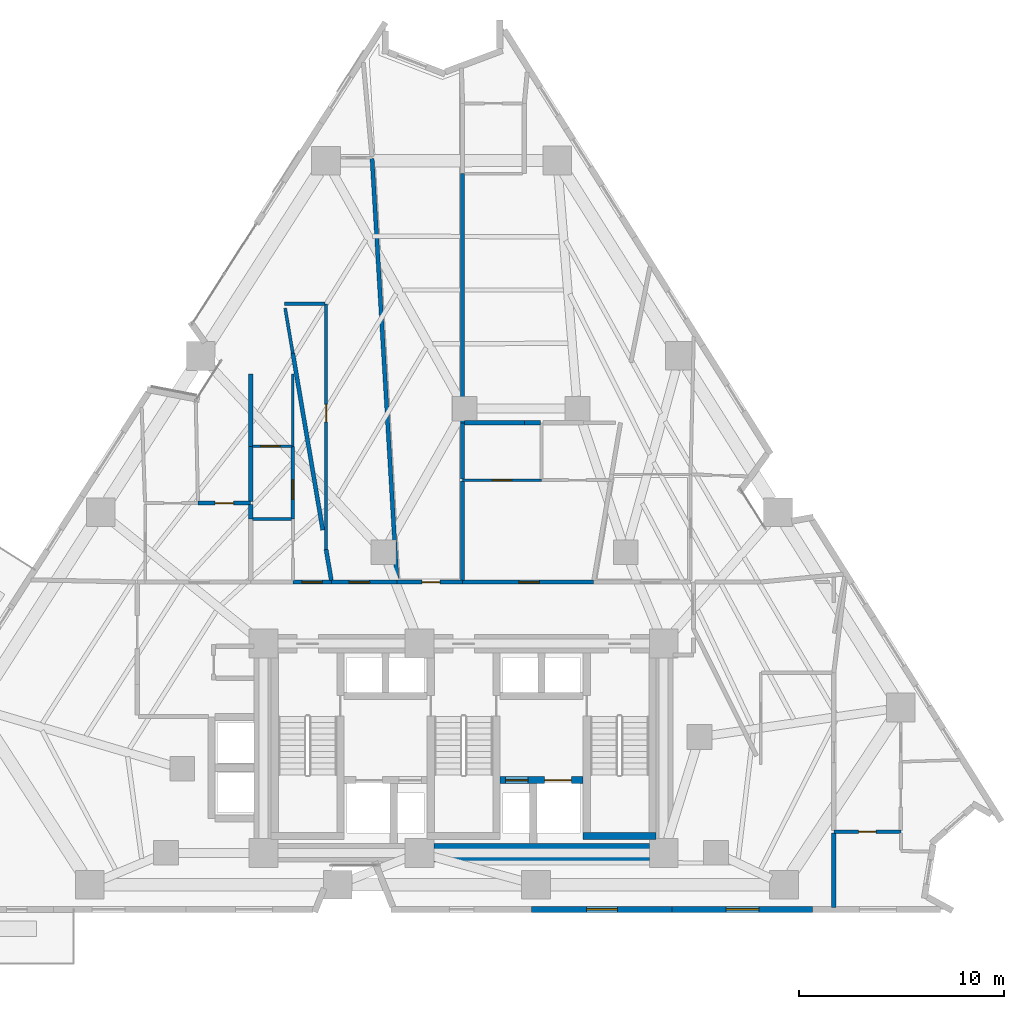
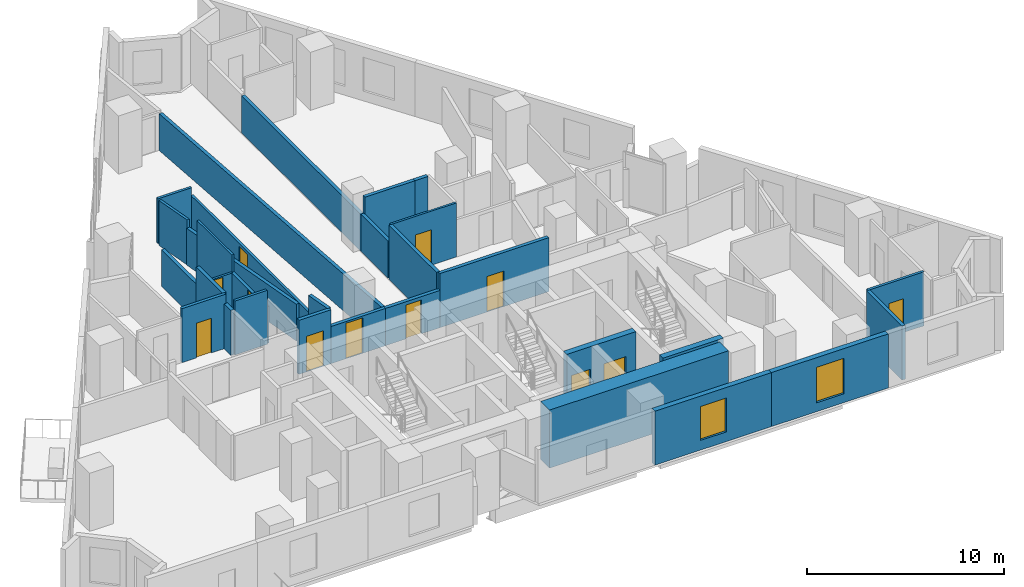
# One storey, part 7 of 14: 31 walls, 12 doors, 2 windows, 14 openings.
"""IFC4 building model written with IfcOpenShell, lengths in metres."""

import ifcopenshell
import ifcopenshell.guid

model = None  # the IFC model being written
_history = None  # IfcOwnerHistory: only IFC2X3 demands one
_inside = {}  # id of a spatial element -> (the spatial element, [elements in it])
_under = {}  # id of a project, library or spatial element -> (it, [spatial elements below it])
_declared = {}  # id of a project -> (the project, [libraries it declares])
_typed = {}  # id of a type object -> (the type object, [elements of that type])
_made_of = {}  # id of a material, layer set ... -> (it, [elements and type objects made of it])


def new_model(schema):
    """Start an empty IFC model of exactly this schema.

    Asked for "IFC4X3", IfcOpenShell would pick the latest addendum, in which some entities
    have other attributes; the version numbers below select the first issue.
    IFC2X3 requires an IfcOwnerHistory on every rooted entity: one is made here for all.
    """
    global model, _history
    if schema == "IFC4X3":
        model = ifcopenshell.file(schema_version=(4, 3, 0, 0))
    else:
        model = ifcopenshell.file(schema=schema)
    _inside.clear()
    _under.clear()
    _declared.clear()
    _typed.clear()
    _made_of.clear()
    _history = None
    if model.schema == "IFC2X3":
        org = make("IfcOrganization", Name="unknown")
        user = make(
            "IfcPersonAndOrganization",
            ThePerson=make("IfcPerson", FamilyName="unknown"),
            TheOrganization=org,
        )
        app = make(
            "IfcApplication",
            ApplicationDeveloper=org,
            Version="unknown",
            ApplicationFullName="unknown",
            ApplicationIdentifier="unknown",
        )
        _history = make(
            "IfcOwnerHistory",
            OwningUser=user,
            OwningApplication=app,
            ChangeAction="ADDED",
            CreationDate=0,
        )
    return model


def make(cls, **values):
    """One entity of the class cls with the attributes given. An attribute that is None is left unset."""
    return model.create_entity(
        cls, **{name: value for name, value in values.items() if value is not None}
    )


def rooted(cls, **values):
    """An entity with a GlobalId (a new one), such as an element, a storey or a relation."""
    return make(cls, GlobalId=ifcopenshell.guid.new(), OwnerHistory=_history, **values)


def si_unit(unit_type, name, prefix=None):
    """IfcSIUnit, for example si_unit("LENGTHUNIT", "METRE", prefix="MILLI")."""
    return make("IfcSIUnit", UnitType=unit_type, Prefix=prefix, Name=name)


def assignment(units):
    """IfcUnitAssignment: the units of a project."""
    return None if units is None else make("IfcUnitAssignment", Units=units)


def point(xyz):
    """IfcCartesianPoint."""
    return None if xyz is None else make("IfcCartesianPoint", Coordinates=xyz)


def direction(xyz):
    """IfcDirection."""
    return None if xyz is None else make("IfcDirection", DirectionRatios=xyz)


def frame(location, z_axis=None, x_axis=None):
    """IfcAxis2Placement3D, a coordinate frame: its origin and axes. An axis left out is left unset."""
    return make(
        "IfcAxis2Placement3D",
        Location=point(location),
        Axis=direction(z_axis),
        RefDirection=direction(x_axis),
    )


def frame_2d(location, x_axis=None):
    """IfcAxis2Placement2D, a coordinate frame in the plane: its origin and x axis."""
    return make(
        "IfcAxis2Placement2D", Location=point(location), RefDirection=direction(x_axis)
    )


def origin():
    """The frame at (0, 0, 0) with its axes left unset."""
    return frame((0.0, 0.0, 0.0))


def place(relative_to, where):
    """IfcLocalPlacement: puts the frame where relative to a parent placement (None: the world)."""
    return make(
        "IfcLocalPlacement", PlacementRelTo=relative_to, RelativePlacement=where
    )


def context(
    kind, dimensions, precision=None, world=None, true_north=None, identifier=None
):
    """IfcGeometricRepresentationContext, for example the 3D "Model" context."""
    return make(
        "IfcGeometricRepresentationContext",
        ContextIdentifier=identifier,
        ContextType=kind,
        CoordinateSpaceDimension=dimensions,
        Precision=precision,
        WorldCoordinateSystem=world,
        TrueNorth=true_north,
    )


def subcontext(parent, identifier, kind, view, scale=None):
    """IfcGeometricRepresentationSubContext, for example "Body" below "Model"."""
    return make(
        "IfcGeometricRepresentationSubContext",
        ContextIdentifier=identifier,
        ContextType=kind,
        ParentContext=parent,
        TargetScale=scale,
        TargetView=view,
    )


def project(units=None, contexts=None):
    """IfcProject with its units and contexts."""
    return rooted(
        "IfcProject",
        Name="project",
        RepresentationContexts=contexts,
        UnitsInContext=assignment(units),
    )


def spatial(cls, under=None, at=None, **own):
    """A site, building, storey or space (cls), placed at a placement, below another one or the project."""
    s = rooted(cls, ObjectPlacement=at, **own)
    if under is not None:
        _under.setdefault(under.id(), (under, []))[1].append(s)
    return s


def profile(cls, at=None, kind="AREA", **sizes):
    """A parametric profile (cls). Its sizes go by their IFC names, for example OverallWidth=200.0."""
    return make(cls, ProfileType=kind, Position=at, **sizes)


def rectangle(**sizes):
    """IfcRectangleProfileDef."""
    return profile("IfcRectangleProfileDef", **sizes)


def extrude(swept, where, along, depth):
    """IfcExtrudedAreaSolid: the profile swept, set in the frame where, extruded along a direction by depth."""
    return make(
        "IfcExtrudedAreaSolid",
        SweptArea=swept,
        Position=where,
        ExtrudedDirection=direction(along),
        Depth=depth,
    )


def shape(context_of_items, identifier, shape_type, items):
    """IfcShapeRepresentation: the items that make up one representation, for example the "Body"."""
    return make(
        "IfcShapeRepresentation",
        ContextOfItems=context_of_items,
        RepresentationIdentifier=identifier,
        RepresentationType=shape_type,
        Items=items,
    )


def material(Name=None, Category=None):
    """IfcMaterial."""
    return make("IfcMaterial", Name=Name, Category=Category)


def layer(
    of_material, thickness, ventilated=None, Name=None, Category=None, Priority=None
):
    """IfcMaterialLayer: one layer of a wall or slab, of a material (None: an air gap)."""
    return make(
        "IfcMaterialLayer",
        Material=of_material,
        LayerThickness=thickness,
        IsVentilated=ventilated,
        Name=Name,
        Category=Category,
        Priority=Priority,
    )


def layer_set(layers, Name=None):
    """IfcMaterialLayerSet."""
    return make("IfcMaterialLayerSet", MaterialLayers=layers, LayerSetName=Name)


def made_of(thing, what):
    """Note that an element or type object is made of a material, layer set ...; save() writes the relation."""
    if what is not None:
        _made_of.setdefault(what.id(), (what, []))[1].append(thing)
    return thing


def type_object(cls, material=None, **own):
    """A type object (cls), such as IfcWallType, which elements share."""
    return made_of(rooted(cls, **own), material)


def element(
    cls,
    number,
    at=None,
    inside=None,
    cuts=None,
    type_object=None,
    material=None,
    context=None,
    identifier="Body",
    shape_type=None,
    held_by="IfcProductDefinitionShape",
    body=None,
    shapes=None,
    **own,
):
    """One element of the class cls, such as IfcWall. Its Tag is "e" and its number.

    at: its placement. inside: the storey or other place that contains it. cuts: it is an
    opening in that element (IfcRelVoidsElement). A single representation is given by context,
    identifier, shape_type and body (its items); several are given by shapes. held_by: the class
    of the entity that holds the representations. save() writes the other relations.
    """
    e = rooted(cls, Tag="e%d" % number, ObjectPlacement=at, **own)
    if body is not None:
        shapes = [shape(context, identifier, shape_type, body)]
    if shapes is not None:
        e.Representation = make(held_by, Representations=shapes)
    if inside is not None:
        _inside.setdefault(inside.id(), (inside, []))[1].append(e)
    if cuts is not None:
        rooted(
            "IfcRelVoidsElement", RelatingBuildingElement=cuts, RelatedOpeningElement=e
        )
    if type_object is not None:
        _typed.setdefault(type_object.id(), (type_object, []))[1].append(e)
    return made_of(e, material)


def fill(opening, filler):
    """IfcRelFillsElement: the door or window that sits in an opening."""
    return rooted(
        "IfcRelFillsElement",
        RelatingOpeningElement=opening,
        RelatedBuildingElement=filler,
    )


def aggregate(whole, parts):
    """IfcRelAggregates: a whole, such as a stair, and the parts it consists of."""
    return rooted("IfcRelAggregates", RelatingObject=whole, RelatedObjects=parts)


def save(model, path):
    """Write the relations noted so far, then the file.

    IfcRelAggregates (storeys below a building ...), IfcRelContainedInSpatialStructure (elements
    in a storey), IfcRelDefinesByType, IfcRelAssociatesMaterial and IfcRelDeclares: one each for
    every whole, place, type object, material and project.
    """
    for whole, parts in _under.values():
        aggregate(whole, parts)
    for where, things in _inside.values():
        rooted(
            "IfcRelContainedInSpatialStructure",
            RelatedElements=things,
            RelatingStructure=where,
        )
    for kind, things in _typed.values():
        rooted("IfcRelDefinesByType", RelatedObjects=things, RelatingType=kind)
    for what, things in _made_of.values():
        rooted("IfcRelAssociatesMaterial", RelatedObjects=things, RelatingMaterial=what)
    for by, libraries in _declared.values():
        rooted("IfcRelDeclares", RelatingContext=by, RelatedDefinitions=libraries)
    model.write(path)


model = new_model("IFC4")

# Units and contexts
model_context = context("Model", 3, precision=1e-05, world=origin(), true_north=direction((0.0, 1.0)))
body_context = subcontext(model_context, "Body", "Model", "MODEL_VIEW")
ifc_project = project(units=[si_unit("LENGTHUNIT", "METRE"), si_unit("AREAUNIT", "SQUARE_METRE"), si_unit("VOLUMEUNIT", "CUBIC_METRE"), si_unit("PLANEANGLEUNIT", "RADIAN"), si_unit("MASSUNIT", "GRAM", prefix="KILO")], contexts=[model_context])

# Site, building, storey
site_placement = place(None, origin())
site = spatial("IfcSite", under=ifc_project, at=site_placement, CompositionType="ELEMENT")
building_placement = place(site_placement, origin())
building = spatial("IfcBuilding", under=site, at=building_placement, Name="Almagre Mirador Tower", CompositionType="ELEMENT")
storey_placement = place(building_placement, frame((0.0, 0.0, 67.800048828125)))
storey = spatial("IfcBuildingStorey", under=building, at=storey_placement, Name="L16", CompositionType="ELEMENT", Elevation=67.800048828125)

# Wall, opening, window
ifc_material_1 = material(Name="Precast concrete C50/60", Category="concrete")
ifc_layer_1 = layer(ifc_material_1, 0.300048828125)
ifc_layer_set_1 = layer_set([ifc_layer_1], Name="Precast concrete C50/60")
wall_type_1 = type_object("IfcWallType", Name="WAL-EXT-300", PredefinedType="SOLIDWALL", material=ifc_layer_set_1)
wall_1_placement = place(storey_placement, frame((54.294921875, 1.800048828125, 0.0), z_axis=(0.0, 0.0, 1.0), x_axis=(-1.0, 0.0, 0.0)))
wall_1 = element("IfcWall", 1, at=wall_1_placement, inside=storey, type_object=wall_type_1, Name="L16 expressed almagre precast frame wall 23", PredefinedType="SOLIDWALL", context=body_context, shape_type="SweptSolid", body=[
    extrude(rectangle(XDim=6.844970703125, YDim=0.300048828125, at=frame_2d((3.42236328125, 0.0))), origin(), (0.0, 0.0, 1.0), 3.349853515625),
])
opening_1_placement = place(wall_1_placement, frame((2.60009765625, 0.0, 0.550048828125)))
opening_1 = element("IfcOpeningElement", 2, at=opening_1_placement, cuts=wall_1, Name="Opening WN-06", PredefinedType="OPENING", context=body_context, shape_type="SweptSolid", body=[
    extrude(rectangle(XDim=1.60009765625, YDim=2.199951171875, at=frame_2d((0.800048828125, 1.10009765625))), frame((0.0, 0.159902, 0.0), z_axis=(0.0, -1.0, 0.0), x_axis=(1.0, 0.0, 0.0)), (0.0, 0.0, 1.0), 0.320049),
])
ifc_material_2 = material(Name="Dark solar-control laminated hurricane glass", Category="glass")
window_type_1 = type_object("IfcWindowType", Name="WIN-1600X2200", PartitioningType="DOUBLE_PANEL_VERTICAL", PredefinedType="WINDOW", material=ifc_material_2)
window_1_placement = place(opening_1_placement, origin())
window_1 = element("IfcWindow", 3, at=window_1_placement, inside=storey, type_object=window_type_1, Name="L16 recessed hurricane window L16-RST-B", OverallHeight=2.199951171875, OverallWidth=1.60009765625, PartitioningType="SINGLE_PANEL", PredefinedType="WINDOW", context=body_context, shape_type="SweptSolid", body=[
    extrude(rectangle(XDim=1.60009765625, YDim=2.199951171875, at=frame_2d((0.800048828125, 1.10009765625))), frame((0.0, 0.030029296875, 0.0), z_axis=(0.0, -1.0, 0.0), x_axis=(1.0, 0.0, 0.0)), (0.0, 0.0, 1.0), 0.06005859375),
])
fill(opening_1, window_1)

wall_2_placement = place(storey_placement, frame((47.449951171875, 1.800048828125, 0.0), z_axis=(0.0, 0.0, 1.0), x_axis=(-1.0, 0.0, 0.0)))
wall_2 = element("IfcWall", 4, at=wall_2_placement, inside=storey, type_object=wall_type_1, Name="L16 expressed almagre precast frame wall 24", PredefinedType="SOLIDWALL", context=body_context, shape_type="SweptSolid", body=[
    extrude(rectangle(XDim=6.844970703125, YDim=0.300048828125, at=frame_2d((3.42236328125, 0.0))), origin(), (0.0, 0.0, 1.0), 3.349853515625),
])
opening_2_placement = place(wall_2_placement, frame((2.64990234375, 0.0, 0.60009765625)))
opening_2 = element("IfcOpeningElement", 5, at=opening_2_placement, cuts=wall_2, Name="Opening WN-03", PredefinedType="OPENING", context=body_context, shape_type="SweptSolid", body=[
    extrude(rectangle(XDim=1.5, YDim=2.10009765625, at=frame_2d((0.75, 1.050048828125))), frame((0.0, 0.159902, 0.0), z_axis=(0.0, -1.0, 0.0), x_axis=(1.0, 0.0, 0.0)), (0.0, 0.0, 1.0), 0.320049),
])
ifc_material_3 = material(Name="Dark solar-control laminated hurricane glass", Category="glass")
window_type_2 = type_object("IfcWindowType", Name="WIN-1500X2100", PartitioningType="DOUBLE_PANEL_VERTICAL", PredefinedType="WINDOW", material=ifc_material_3)
window_2_placement = place(opening_2_placement, origin())
window_2 = element("IfcWindow", 6, at=window_2_placement, inside=storey, type_object=window_type_2, Name="L16 recessed hurricane window L16-RST-B", OverallHeight=2.10009765625, OverallWidth=1.5, PartitioningType="SINGLE_PANEL", PredefinedType="WINDOW", context=body_context, shape_type="SweptSolid", body=[
    extrude(rectangle(XDim=1.5, YDim=2.10009765625, at=frame_2d((0.75, 1.050048828125))), frame((0.0, 0.030029296875, 0.0), z_axis=(0.0, -1.0, 0.0), x_axis=(1.0, 0.0, 0.0)), (0.0, 0.0, 1.0), 0.06005859375),
])
fill(opening_2, window_2)

# Wall
ifc_material_4 = material(Name="Gypsum acoustic stud partition", Category="other")
ifc_layer_2 = layer(ifc_material_4, 0.125)
ifc_layer_set_2 = layer_set([ifc_layer_2], Name="Gypsum acoustic stud partition")
wall_type_2 = type_object("IfcWallType", Name="WAL-PRT-125-UTL", PredefinedType="PARTITIONING", material=ifc_layer_set_2)
wall_3_placement = place(storey_placement, frame((28.97998046875, 27.889892578125, 0.0), z_axis=(0.0, 0.0, 1.0), x_axis=(0.0, -1.0, 0.0)))
element("IfcWall", 7, at=wall_3_placement, inside=storey, type_object=wall_type_2, Name="L16 interior partition 047", PredefinedType="PARTITIONING", context=body_context, shape_type="SweptSolid", body=[
    extrude(rectangle(XDim=3.52978515625, YDim=0.125, at=frame_2d((1.764892578125, 0.0))), origin(), (0.0, 0.0, 1.0), 3.349853515625),
])

# Wall, opening, door
wall_4_placement = place(storey_placement, frame((27.014892578125, 24.360107421875, 0.0), z_axis=(0.0, 0.0, 1.0), x_axis=(1.0, 0.0, 0.0)))
wall_4 = element("IfcWall", 8, at=wall_4_placement, inside=storey, type_object=wall_type_2, Name="L16 interior partition 052", PredefinedType="PARTITIONING", context=body_context, shape_type="SweptSolid", body=[
    extrude(rectangle(XDim=1.917724609375, YDim=0.125, at=frame_2d((0.958984375, 0.0))), origin(), (0.0, 0.0, 1.0), 2.279052734375),
])
opening_3_placement = place(wall_4_placement, frame((0.406494140625, 0.0, 0.0)))
opening_3 = element("IfcOpeningElement", 9, at=opening_3_placement, cuts=wall_4, Name="Opening UD-01", PredefinedType="OPENING", context=body_context, shape_type="SweptSolid", body=[
    extrude(rectangle(XDim=0.949951171875, YDim=2.199951171875, at=frame_2d((0.47509765625, 1.10009765625))), frame((0.0, 0.0725, 0.0), z_axis=(0.0, -1.0, 0.0), x_axis=(1.0, 0.0, 0.0)), (0.0, 0.0, 1.0), 0.145),
])
ifc_material_5 = material(Name="Solid American walnut timber", Category="wood")
door_type_1 = type_object("IfcDoorType", Name="DOR-UNR-950X2200", OperationType="NOTDEFINED", PredefinedType="DOOR", material=ifc_material_5)
door_1_placement = place(opening_3_placement, origin())
door_1 = element("IfcDoor", 10, at=door_1_placement, inside=storey, type_object=door_type_1, Name="DR-0548 L16 interior door L16-UG-KT to L16-UG-ST1", OperationType="SINGLE_SWING_LEFT", OverallHeight=2.199951171875, OverallWidth=0.949951171875, PredefinedType="DOOR", context=body_context, shape_type="SweptSolid", body=[
    extrude(rectangle(XDim=0.949951171875, YDim=2.199951171875, at=frame_2d((0.47509765625, 1.10009765625))), frame((0.0, 0.02490234375, 0.0), z_axis=(0.0, -1.0, 0.0), x_axis=(1.0, 0.0, 0.0)), (0.0, 0.0, 1.0), 0.050048828125),
])
fill(opening_3, door_1)

wall_5_placement = place(storey_placement, frame((41.10009765625, 22.719970703125, 0.0), z_axis=(0.0, 0.0, 1.0), x_axis=(-1.0, 0.0, 0.0)))
wall_5 = element("IfcWall", 11, at=wall_5_placement, inside=storey, type_object=wall_type_2, Name="L16 interior partition 053", PredefinedType="PARTITIONING", context=body_context, shape_type="SweptSolid", body=[
    extrude(rectangle(XDim=3.85009765625, YDim=0.125, at=frame_2d((1.925048828125, 0.0))), origin(), (0.0, 0.0, 1.0), 3.349853515625),
])
opening_4_placement = place(wall_5_placement, frame((1.449951171875, 0.0, 0.0)))
opening_4 = element("IfcOpeningElement", 12, at=opening_4_placement, cuts=wall_5, Name="Opening UD-01", PredefinedType="OPENING", context=body_context, shape_type="SweptSolid", body=[
    extrude(rectangle(XDim=0.949951171875, YDim=2.199951171875, at=frame_2d((0.47509765625, 1.10009765625))), frame((0.0, 0.0725, 0.0), z_axis=(0.0, -1.0, 0.0), x_axis=(1.0, 0.0, 0.0)), (0.0, 0.0, 1.0), 0.145),
])
door_2_placement = place(opening_4_placement, origin())
door_2 = element("IfcDoor", 13, at=door_2_placement, inside=storey, type_object=door_type_1, Name="DR-0552 L16 interior door L16-UH-ST to L16-UH-KT", OperationType="SINGLE_SWING_LEFT", OverallHeight=2.199951171875, OverallWidth=0.949951171875, PredefinedType="DOOR", context=body_context, shape_type="SweptSolid", body=[
    extrude(rectangle(XDim=0.949951171875, YDim=2.199951171875, at=frame_2d((0.47509765625, 1.10009765625))), frame((0.0, 0.02490234375, 0.0), z_axis=(0.0, -1.0, 0.0), x_axis=(1.0, 0.0, 0.0)), (0.0, 0.0, 1.0), 0.050048828125),
])
fill(opening_4, door_2)

ifc_material_6 = material(Name="Gypsum acoustic stud partition", Category="other")
ifc_layer_3 = layer(ifc_material_6, 0.14990234375)
ifc_layer_set_3 = layer_set([ifc_layer_3], Name="Gypsum acoustic stud partition")
wall_type_3 = type_object("IfcWallType", Name="WAL-PRT-150-STD", PredefinedType="PARTITIONING", material=ifc_layer_set_3)
wall_6_placement = place(storey_placement, frame((55.340087890625, 5.580078125, 0.0), z_axis=(0.0, 0.0, 1.0), x_axis=(1.0, 0.0, 0.0)))
wall_6 = element("IfcWall", 14, at=wall_6_placement, inside=storey, type_object=wall_type_3, Name="L16 interior partition 022", PredefinedType="PARTITIONING", context=body_context, shape_type="SweptSolid", body=[
    extrude(rectangle(XDim=3.27001953125, YDim=0.14990234375, at=frame_2d((1.635009765625, 0.0))), origin(), (0.0, 0.0, 1.0), 3.349853515625),
])
opening_5_placement = place(wall_6_placement, frame((1.2099609375, 0.0, 0.0)))
opening_5 = element("IfcOpeningElement", 15, at=opening_5_placement, cuts=wall_6, Name="Opening UD-04", PredefinedType="OPENING", context=body_context, shape_type="SweptSolid", body=[
    extrude(rectangle(XDim=0.85009765625, YDim=2.10009765625, at=frame_2d((0.425048828125, 1.050048828125))), frame((0.0, 0.084951, 0.0), z_axis=(0.0, -1.0, 0.0), x_axis=(1.0, 0.0, 0.0)), (0.0, 0.0, 1.0), 0.169902),
])
ifc_material_7 = material(Name="Moisture-resistant oak timber", Category="wood")
door_type_2 = type_object("IfcDoorType", Name="DOR-UNR-850X2100", OperationType="NOTDEFINED", PredefinedType="DOOR", material=ifc_material_7)
door_3_placement = place(opening_5_placement, origin())
door_3 = element("IfcDoor", 16, at=door_3_placement, inside=storey, type_object=door_type_2, Name="DR-0539 L16 interior door L16-UC-LV to L16-UC-HB", OperationType="SINGLE_SWING_RIGHT", OverallHeight=2.10009765625, OverallWidth=0.85009765625, PredefinedType="DOOR", context=body_context, shape_type="SweptSolid", body=[
    extrude(rectangle(XDim=0.85009765625, YDim=2.10009765625, at=frame_2d((0.425048828125, 1.050048828125))), frame((0.0, 0.02490234375, 0.0), z_axis=(0.0, -1.0, 0.0), x_axis=(1.0, 0.0, 0.0)), (0.0, 0.0, 1.0), 0.050048828125),
])
fill(opening_5, door_3)

# Wall
wall_7_placement = place(storey_placement, frame((28.919921875, 20.830078125, 0.0), z_axis=(0.0, 0.0, 1.0), x_axis=(-1.0, 0.0, 0.0)))
element("IfcWall", 17, at=wall_7_placement, inside=storey, type_object=wall_type_3, Name="L16 interior partition 051", PredefinedType="PARTITIONING", context=body_context, shape_type="SweptSolid", body=[
    extrude(rectangle(XDim=1.905029296875, YDim=0.14990234375, at=frame_2d((0.95263671875, 0.0))), origin(), (0.0, 0.0, 1.0), 3.349853515625),
])

# Wall, opening, door
wall_8_placement = place(storey_placement, frame((30.60009765625, 31.31005859375, 0.0), z_axis=(0.0, 0.0, 1.0), x_axis=(0.0, -1.0, 0.0)))
wall_8 = element("IfcWall", 18, at=wall_8_placement, inside=storey, type_object=wall_type_3, Name="L16 interior partition 069", PredefinedType="PARTITIONING", context=body_context, shape_type="SweptSolid", body=[
    extrude(rectangle(XDim=11.969970703125, YDim=0.14990234375, at=frame_2d((5.98486328125, 0.0))), origin(), (0.0, 0.0, 1.0), 2.279052734375),
])
opening_6_placement = place(wall_8_placement, frame((4.90478515625, 0.0, 0.0)))
opening_6 = element("IfcOpeningElement", 19, at=opening_6_placement, cuts=wall_8, Name="Opening UD-04", PredefinedType="OPENING", context=body_context, shape_type="SweptSolid", body=[
    extrude(rectangle(XDim=0.85009765625, YDim=2.10009765625, at=frame_2d((0.425048828125, 1.050048828125))), frame((0.0, 0.084951, 0.0), z_axis=(0.0, -1.0, 0.0), x_axis=(1.0, 0.0, 0.0)), (0.0, 0.0, 1.0), 0.169902),
])
door_4_placement = place(opening_6_placement, origin())
door_4 = element("IfcDoor", 20, at=door_4_placement, inside=storey, type_object=door_type_2, Name="DR-0560 L16 interior door L16-UK-LV to L16-UK-HB", OperationType="SINGLE_SWING_LEFT", OverallHeight=2.10009765625, OverallWidth=0.85009765625, PredefinedType="DOOR", context=body_context, shape_type="SweptSolid", body=[
    extrude(rectangle(XDim=0.85009765625, YDim=2.10009765625, at=frame_2d((0.425048828125, 1.050048828125))), frame((0.0, 0.02490234375, 0.0), z_axis=(0.0, -1.0, 0.0), x_axis=(1.0, 0.0, 0.0)), (0.0, 0.0, 1.0), 0.050048828125),
])
fill(opening_6, door_4)

# Walls
wall_9_placement = place(storey_placement, frame((30.5400390625, 31.31005859375, 0.0), z_axis=(0.0, 0.0, 1.0), x_axis=(-1.0, 0.0, 0.0)))
element("IfcWall", 21, at=wall_9_placement, inside=storey, type_object=wall_type_3, Name="L16 interior partition 073", PredefinedType="PARTITIONING", context=body_context, shape_type="SweptSolid", body=[
    extrude(rectangle(XDim=1.969970703125, YDim=0.14990234375, at=frame_2d((0.98486328125, 0.0))), origin(), (0.0, 0.0, 1.0), 2.786865234375),
])
wall_10_placement = place(storey_placement, frame((28.60595703125, 31.094970703125, 0.0), z_axis=(0.0, 0.0, 1.0), x_axis=(0.167545405698, -0.985864360361, 0.0)))
element("IfcWall", 22, at=wall_10_placement, inside=storey, type_object=wall_type_3, Name="L16 interior partition 095", PredefinedType="PARTITIONING", context=body_context, shape_type="SweptSolid", body=[
    extrude(rectangle(XDim=2.2265625, YDim=0.14990234375, at=frame_2d((1.11328125, 0.0))), origin(), (0.0, 0.0, 1.0), 2.786865234375),
])

# Wall, opening, door
ifc_material_8 = material(Name="Gypsum acoustic stud partition", Category="other")
ifc_layer_4 = layer(ifc_material_8, 0.175048828125)
ifc_layer_set_4 = layer_set([ifc_layer_4], Name="Gypsum acoustic stud partition")
wall_type_4 = type_object("IfcWallType", Name="WAL-PRT-175-AC", PredefinedType="PARTITIONING", material=ifc_layer_set_4)
wall_11_placement = place(storey_placement, frame((26.929931640625, 21.60009765625, 0.0), z_axis=(0.0, 0.0, 1.0), x_axis=(-1.0, 0.0, 0.0)))
wall_11 = element("IfcWall", 23, at=wall_11_placement, inside=storey, type_object=wall_type_4, Name="L16 interior partition 039", PredefinedType="PARTITIONING", context=body_context, shape_type="SweptSolid", body=[
    extrude(rectangle(XDim=2.56982421875, YDim=0.175048828125, at=frame_2d((1.284912109375, 0.0))), origin(), (0.0, 0.0, 1.0), 3.349853515625),
])
opening_7_placement = place(wall_11_placement, frame((0.8349609375, 0.0, 0.0)))
opening_7 = element("IfcOpeningElement", 24, at=opening_7_placement, cuts=wall_11, Name="Opening UD-02", PredefinedType="OPENING", context=body_context, shape_type="SweptSolid", body=[
    extrude(rectangle(XDim=0.89990234375, YDim=2.14990234375, at=frame_2d((0.449951171875, 1.074951171875))), frame((0.0, 0.097402, 0.0), z_axis=(0.0, -1.0, 0.0), x_axis=(1.0, 0.0, 0.0)), (0.0, 0.0, 1.0), 0.195049),
])
ifc_material_9 = material(Name="Solid American walnut timber", Category="wood")
door_type_3 = type_object("IfcDoorType", Name="DOR-UNR-900X2150", OperationType="NOTDEFINED", PredefinedType="DOOR", material=ifc_material_9)
door_5_placement = place(opening_7_placement, origin())
door_5 = element("IfcDoor", 25, at=door_5_placement, inside=storey, type_object=door_type_3, Name="DR-0546 L16 interior door L16-UF-LV to L16-UF-MB", OperationType="SINGLE_SWING_RIGHT", OverallHeight=2.14990234375, OverallWidth=0.89990234375, PredefinedType="DOOR", context=body_context, shape_type="SweptSolid", body=[
    extrude(rectangle(XDim=0.89990234375, YDim=2.14990234375, at=frame_2d((0.449951171875, 1.074951171875))), frame((0.0, 0.02490234375, 0.0), z_axis=(0.0, -1.0, 0.0), x_axis=(1.0, 0.0, 0.0)), (0.0, 0.0, 1.0), 0.050048828125),
])
fill(opening_7, door_5)

wall_12_placement = place(storey_placement, frame((28.97998046875, 24.360107421875, 0.0), z_axis=(0.0, 0.0, 1.0), x_axis=(0.0, -1.0, 0.0)))
wall_12 = element("IfcWall", 26, at=wall_12_placement, inside=storey, type_object=wall_type_4, Name="L16 interior partition 048", PredefinedType="PARTITIONING", context=body_context, shape_type="SweptSolid", body=[
    extrude(rectangle(XDim=3.530029296875, YDim=0.175048828125, at=frame_2d((1.76513671875, 0.0))), origin(), (0.0, 0.0, 1.0), 2.279052734375),
])
opening_8_placement = place(wall_12_placement, frame((1.635009765625, 0.0, 0.0)))
opening_8 = element("IfcOpeningElement", 27, at=opening_8_placement, cuts=wall_12, Name="Opening UD-01", PredefinedType="OPENING", context=body_context, shape_type="SweptSolid", body=[
    extrude(rectangle(XDim=0.949951171875, YDim=2.199951171875, at=frame_2d((0.47509765625, 1.10009765625))), frame((0.0, 0.097402, 0.0), z_axis=(0.0, -1.0, 0.0), x_axis=(1.0, 0.0, 0.0)), (0.0, 0.0, 1.0), 0.195049),
])
door_6_placement = place(opening_8_placement, origin())
door_6 = element("IfcDoor", 28, at=door_6_placement, inside=storey, type_object=door_type_1, Name="DR-0549 L16 interior door L16-UG-ST to L16-UG-ST1", OperationType="SINGLE_SWING_RIGHT", OverallHeight=2.199951171875, OverallWidth=0.949951171875, PredefinedType="DOOR", context=body_context, shape_type="SweptSolid", body=[
    extrude(rectangle(XDim=0.949951171875, YDim=2.199951171875, at=frame_2d((0.47509765625, 1.10009765625))), frame((0.0, 0.02490234375, 0.0), z_axis=(0.0, -1.0, 0.0), x_axis=(1.0, 0.0, 0.0)), (0.0, 0.0, 1.0), 0.050048828125),
])
fill(opening_8, door_6)

ifc_material_10 = material(Name="Gypsum acoustic stud partition", Category="other")
ifc_layer_5 = layer(ifc_material_10, 0.199951171875)
ifc_layer_set_5 = layer_set([ifc_layer_5], Name="Gypsum acoustic stud partition")
wall_type_5 = type_object("IfcWallType", Name="WAL-PRT-200-EI60", PredefinedType="PARTITIONING", material=ifc_layer_set_5)
wall_13_placement = place(storey_placement, frame((30.8701171875, 17.75, 0.0), z_axis=(0.0, 0.0, 1.0), x_axis=(-1.0, 0.0, 0.0)))
wall_13 = element("IfcWall", 29, at=wall_13_placement, inside=storey, type_object=wall_type_5, Name="L16 interior partition 010", PredefinedType="PARTITIONING", context=body_context, shape_type="SweptSolid", body=[
    extrude(rectangle(XDim=1.89013671875, YDim=0.199951171875, at=frame_2d((0.945068359375, 0.0))), origin(), (0.0, 0.0, 1.0), 3.349853515625),
])
opening_9_placement = place(wall_13_placement, frame((0.445068359375, 0.0, 0.0)))
opening_9 = element("IfcOpeningElement", 30, at=opening_9_placement, cuts=wall_13, Name="Opening ID-01", PredefinedType="OPENING", context=body_context, shape_type="SweptSolid", body=[
    extrude(rectangle(XDim=1.0, YDim=2.199951171875, at=frame_2d((0.5, 1.10009765625))), frame((0.0, 0.110098, 0.0), z_axis=(0.0, -1.0, 0.0), x_axis=(1.0, 0.0, 0.0)), (0.0, 0.0, 1.0), 0.219951),
])
ifc_material_11 = material(Name="Fire-rated walnut timber", Category="wood")
door_type_4 = type_object("IfcDoorType", Name="DOR-FD60-1000X2200", OperationType="NOTDEFINED", PredefinedType="DOOR", material=ifc_material_11)
door_7_placement = place(opening_9_placement, origin())
door_7 = element("IfcDoor", 31, at=door_7_placement, inside=storey, type_object=door_type_4, Name="DR-0547 L16 interior door L16-RCOR to L16-UG-ST", OperationType="SINGLE_SWING_LEFT", OverallHeight=2.199951171875, OverallWidth=1.0, PredefinedType="DOOR", context=body_context, shape_type="SweptSolid", body=[
    extrude(rectangle(XDim=1.0, YDim=2.199951171875, at=frame_2d((0.5, 1.10009765625))), frame((0.0, 0.02490234375, 0.0), z_axis=(0.0, -1.0, 0.0), x_axis=(1.0, 0.0, 0.0)), (0.0, 0.0, 1.0), 0.050048828125),
])
fill(opening_9, door_7)

wall_14_placement = place(storey_placement, frame((43.6298828125, 17.75, 0.0), z_axis=(0.0, 0.0, 1.0), x_axis=(-1.0, 0.0, 0.0)))
wall_14 = element("IfcWall", 32, at=wall_14_placement, inside=storey, type_object=wall_type_5, Name="L16 interior partition 012", PredefinedType="PARTITIONING", context=body_context, shape_type="SweptSolid", body=[
    extrude(rectangle(XDim=6.3798828125, YDim=0.199951171875, at=frame_2d((3.18994140625, 0.0))), origin(), (0.0, 0.0, 1.0), 3.349853515625),
])
opening_10_placement = place(wall_14_placement, frame((2.630615234375, 0.0, 0.0)))
opening_10 = element("IfcOpeningElement", 33, at=opening_10_placement, cuts=wall_14, Name="Opening ID-01", PredefinedType="OPENING", context=body_context, shape_type="SweptSolid", body=[
    extrude(rectangle(XDim=1.0, YDim=2.199951171875, at=frame_2d((0.5, 1.10009765625))), frame((0.0, 0.110098, 0.0), z_axis=(0.0, -1.0, 0.0), x_axis=(1.0, 0.0, 0.0)), (0.0, 0.0, 1.0), 0.219951),
])
door_8_placement = place(opening_10_placement, origin())
door_8 = element("IfcDoor", 34, at=door_8_placement, inside=storey, type_object=door_type_4, Name="DR-0551 L16 interior door L16-RCOR to L16-UH-ST", OperationType="SINGLE_SWING_RIGHT", OverallHeight=2.199951171875, OverallWidth=1.0, PredefinedType="DOOR", context=body_context, shape_type="SweptSolid", body=[
    extrude(rectangle(XDim=1.0, YDim=2.199951171875, at=frame_2d((0.5, 1.10009765625))), frame((0.0, 0.02490234375, 0.0), z_axis=(0.0, -1.0, 0.0), x_axis=(1.0, 0.0, 0.0)), (0.0, 0.0, 1.0), 0.050048828125),
])
fill(opening_10, door_8)

wall_15_placement = place(storey_placement, frame((34.06005859375, 17.75, 0.0), z_axis=(0.0, 0.0, 1.0), x_axis=(-1.0, 0.0, 0.0)))
wall_15 = element("IfcWall", 35, at=wall_15_placement, inside=storey, type_object=wall_type_5, Name="L16 interior partition 014", PredefinedType="PARTITIONING", context=body_context, shape_type="SweptSolid", body=[
    extrude(rectangle(XDim=3.18994140625, YDim=0.199951171875, at=frame_2d((1.594970703125, 0.0))), origin(), (0.0, 0.0, 1.0), 2.308837890625),
])
opening_11_placement = place(wall_15_placement, frame((1.333740234375, 0.0, 0.0)))
opening_11 = element("IfcOpeningElement", 36, at=opening_11_placement, cuts=wall_15, Name="Opening ID-01", PredefinedType="OPENING", context=body_context, shape_type="SweptSolid", body=[
    extrude(rectangle(XDim=1.0, YDim=2.199951171875, at=frame_2d((0.5, 1.10009765625))), frame((0.0, 0.110098, 0.0), z_axis=(0.0, -1.0, 0.0), x_axis=(1.0, 0.0, 0.0)), (0.0, 0.0, 1.0), 0.219951),
])
door_9_placement = place(opening_11_placement, origin())
door_9 = element("IfcDoor", 37, at=door_9_placement, inside=storey, type_object=door_type_4, Name="DR-0558 L16 interior door L16-RCOR to L16-UK-LV", OperationType="SINGLE_SWING_LEFT", OverallHeight=2.199951171875, OverallWidth=1.0, PredefinedType="DOOR", context=body_context, shape_type="SweptSolid", body=[
    extrude(rectangle(XDim=1.0, YDim=2.199951171875, at=frame_2d((0.5, 1.10009765625))), frame((0.0, 0.02490234375, 0.0), z_axis=(0.0, -1.0, 0.0), x_axis=(1.0, 0.0, 0.0)), (0.0, 0.0, 1.0), 0.050048828125),
])
fill(opening_11, door_9)

wall_16_placement = place(storey_placement, frame((37.25, 17.75, 0.0), z_axis=(0.0, 0.0, 1.0), x_axis=(-1.0, 0.0, 0.0)))
wall_16 = element("IfcWall", 38, at=wall_16_placement, inside=storey, type_object=wall_type_5, Name="L16 interior partition 015", PredefinedType="PARTITIONING", context=body_context, shape_type="SweptSolid", body=[
    extrude(rectangle(XDim=3.18994140625, YDim=0.199951171875, at=frame_2d((1.594970703125, 0.0))), origin(), (0.0, 0.0, 1.0), 2.308837890625),
])
opening_12_placement = place(wall_16_placement, frame((1.0859375, 0.0, 0.0)))
opening_12 = element("IfcOpeningElement", 39, at=opening_12_placement, cuts=wall_16, Name="Opening ID-03", PredefinedType="OPENING", context=body_context, shape_type="SweptSolid", body=[
    extrude(rectangle(XDim=0.89990234375, YDim=2.10009765625, at=frame_2d((0.449951171875, 1.050048828125))), frame((0.0, 0.110098, 0.0), z_axis=(0.0, -1.0, 0.0), x_axis=(1.0, 0.0, 0.0)), (0.0, 0.0, 1.0), 0.219951),
])
ifc_material_12 = material(Name="Fire-rated hollow steel", Category="steel")
door_type_5 = type_object("IfcDoorType", Name="DOR-FD60-900X2100", OperationType="NOTDEFINED", PredefinedType="DOOR", material=ifc_material_12)
door_10_placement = place(opening_12_placement, origin())
door_10 = element("IfcDoor", 40, at=door_10_placement, inside=storey, type_object=door_type_5, Name="DR-0537 L16 interior door L16-RCOR to L16-RST-L", OperationType="SINGLE_SWING_RIGHT", OverallHeight=2.10009765625, OverallWidth=0.89990234375, PredefinedType="DOOR", context=body_context, shape_type="SweptSolid", body=[
    extrude(rectangle(XDim=0.89990234375, YDim=2.10009765625, at=frame_2d((0.449951171875, 1.050048828125))), frame((0.0, 0.02490234375, 0.0), z_axis=(0.0, -1.0, 0.0), x_axis=(1.0, 0.0, 0.0)), (0.0, 0.0, 1.0), 0.050048828125),
])
fill(opening_12, door_10)

# Walls
wall_17_placement = place(storey_placement, frame((55.340087890625, 5.52001953125, 0.0), z_axis=(0.0, 0.0, 1.0), x_axis=(0.0, -1.0, 0.0)))
element("IfcWall", 41, at=wall_17_placement, inside=storey, type_object=wall_type_5, Name="L16 interior partition 029", PredefinedType="PARTITIONING", context=body_context, shape_type="SweptSolid", body=[
    extrude(rectangle(XDim=3.6201171875, YDim=0.199951171875, at=frame_2d((1.81005859375, 0.0))), origin(), (0.0, 0.0, 1.0), 3.349853515625),
])
wall_18_placement = place(storey_placement, frame((26.929931640625, 20.830078125, 0.0), z_axis=(0.0, 0.0, 1.0), x_axis=(0.0, 1.0, 0.0)))
element("IfcWall", 42, at=wall_18_placement, inside=storey, type_object=wall_type_5, Name="L16 interior partition 041", PredefinedType="PARTITIONING", context=body_context, shape_type="SweptSolid", body=[
    extrude(rectangle(XDim=0.697509765625, YDim=0.199951171875, at=frame_2d((0.3486328125, 0.0))), origin(), (0.0, 0.0, 1.0), 2.786865234375),
])
wall_19_placement = place(storey_placement, frame((26.929931640625, 24.360107421875, 0.0), z_axis=(0.0, 0.0, 1.0), x_axis=(0.0, 1.0, 0.0)))
element("IfcWall", 43, at=wall_19_placement, inside=storey, type_object=wall_type_5, Name="L16 interior partition 044", PredefinedType="PARTITIONING", context=body_context, shape_type="SweptSolid", body=[
    extrude(rectangle(XDim=3.52978515625, YDim=0.199951171875, at=frame_2d((1.764892578125, 0.0))), origin(), (0.0, 0.0, 1.0), 2.279052734375),
])
wall_20_placement = place(storey_placement, frame((26.929931640625, 21.672607421875, 0.0), z_axis=(0.0, 0.0, 1.0), x_axis=(0.0, 1.0, 0.0)))
element("IfcWall", 44, at=wall_20_placement, inside=storey, type_object=wall_type_5, Name="L16 interior partition 045", PredefinedType="PARTITIONING", context=body_context, shape_type="SweptSolid", body=[
    extrude(rectangle(XDim=2.6875, YDim=0.199951171875, at=frame_2d((1.34375, 0.0))), origin(), (0.0, 0.0, 1.0), 3.349853515625),
])
wall_21_placement = place(storey_placement, frame((30.855712890625, 17.833740234375, 0.0), z_axis=(0.0, 0.0, 1.0), x_axis=(-0.167300412549, 0.98590596507, 0.0)))
element("IfcWall", 45, at=wall_21_placement, inside=storey, type_object=wall_type_5, Name="L16 interior partition 049", PredefinedType="PARTITIONING", context=body_context, shape_type="SweptSolid", body=[
    extrude(rectangle(XDim=1.52783203125, YDim=0.199951171875, at=frame_2d((0.763916015625, 0.0))), origin(), (0.0, 0.0, 1.0), 3.349853515625),
])
wall_22_placement = place(storey_placement, frame((30.43994140625, 20.283935546875, 0.0), z_axis=(0.0, 0.0, 1.0), x_axis=(-0.167066803371, 0.98594557822, 0.0)))
element("IfcWall", 46, at=wall_22_placement, inside=storey, type_object=wall_type_5, Name="L16 interior partition 050", PredefinedType="PARTITIONING", context=body_context, shape_type="SweptSolid", body=[
    extrude(rectangle(XDim=8.73876953125, YDim=0.199951171875, at=frame_2d((4.369384765625, 0.0))), origin(), (0.0, 0.0, 1.0), 2.279052734375),
])
wall_23_placement = place(storey_placement, frame((37.25, 22.672607421875, 0.0), z_axis=(0.0, 0.0, 1.0), x_axis=(0.0, -1.0, 0.0)))
element("IfcWall", 47, at=wall_23_placement, inside=storey, type_object=wall_type_5, Name="L16 interior partition 056", PredefinedType="PARTITIONING", context=body_context, shape_type="SweptSolid", body=[
    extrude(rectangle(XDim=4.837646484375, YDim=0.199951171875, at=frame_2d((2.4189453125, 0.0))), origin(), (0.0, 0.0, 1.0), 3.349853515625),
])
wall_24_placement = place(storey_placement, frame((37.25, 25.510009765625, 0.0), z_axis=(0.0, 0.0, 1.0), x_axis=(0.0, -1.0, 0.0)))
element("IfcWall", 48, at=wall_24_placement, inside=storey, type_object=wall_type_5, Name="L16 interior partition 058", PredefinedType="PARTITIONING", context=body_context, shape_type="SweptSolid", body=[
    extrude(rectangle(XDim=2.742431640625, YDim=0.199951171875, at=frame_2d((1.37109375, 0.0))), origin(), (0.0, 0.0, 1.0), 2.308837890625),
])
wall_25_placement = place(storey_placement, frame((40.260009765625, 25.510009765625, 0.0), z_axis=(0.0, 0.0, 1.0), x_axis=(-1.0, 0.0, 0.0)))
element("IfcWall", 49, at=wall_25_placement, inside=storey, type_object=wall_type_5, Name="L16 interior partition 060", PredefinedType="PARTITIONING", context=body_context, shape_type="SweptSolid", body=[
    extrude(rectangle(XDim=2.925048828125, YDim=0.199951171875, at=frame_2d((1.46240234375, 0.0))), origin(), (0.0, 0.0, 1.0), 3.349853515625),
])
wall_26_placement = place(storey_placement, frame((34.054931640625, 17.8349609375, 0.0), z_axis=(0.0, 0.0, 1.0), x_axis=(-0.058890284917, 0.998264461124, 0.0)))
element("IfcWall", 50, at=wall_26_placement, inside=storey, type_object=wall_type_5, Name="L16 interior partition 072", PredefinedType="PARTITIONING", context=body_context, shape_type="SweptSolid", body=[
    extrude(rectangle(XDim=20.583251953125, YDim=0.199951171875, at=frame_2d((10.29150390625, 0.0))), origin(), (0.0, 0.0, 1.0), 2.279052734375),
])
wall_27_placement = place(storey_placement, frame((37.25, 25.510009765625, 0.0), z_axis=(0.0, 0.0, 1.0), x_axis=(0.0, 1.0, 0.0)))
element("IfcWall", 51, at=wall_27_placement, inside=storey, type_object=wall_type_5, Name="L16 interior partition 075", PredefinedType="PARTITIONING", context=body_context, shape_type="SweptSolid", body=[
    extrude(rectangle(XDim=12.139892578125, YDim=0.199951171875, at=frame_2d((6.06982421875, 0.0))), origin(), (0.0, 0.0, 1.0), 2.279052734375),
])
wall_28_placement = place(storey_placement, frame((41.0400390625, 25.510009765625, 0.0), z_axis=(0.0, 0.0, 1.0), x_axis=(-1.0, 0.0, 0.0)))
element("IfcWall", 52, at=wall_28_placement, inside=storey, type_object=wall_type_5, Name="L16 interior partition 091", PredefinedType="PARTITIONING", context=body_context, shape_type="SweptSolid", body=[
    extrude(rectangle(XDim=0.780029296875, YDim=0.199951171875, at=frame_2d((0.39013671875, 0.0))), origin(), (0.0, 0.0, 1.0), 3.349853515625),
])
ifc_material_13 = material(Name="Concrete C60/75", Category="concrete")
ifc_layer_6 = layer(ifc_material_13, 0.35009765625)
ifc_layer_set_6 = layer_set([ifc_layer_6], Name="Concrete C60/75")
wall_type_6 = type_object("IfcWallType", Name="WAL-SHF-350", PredefinedType="SOLIDWALL", material=ifc_layer_set_6)
wall_29_placement = place(storey_placement, frame((43.125, 5.375, 0.0), z_axis=(0.0, 0.0, 1.0), x_axis=(1.0, 0.0, 0.0)))
element("IfcWall", 53, at=wall_29_placement, inside=storey, type_object=wall_type_6, Name="L16 shaft wall ST3-S", PredefinedType="SOLIDWALL", context=body_context, shape_type="SweptSolid", body=[
    extrude(rectangle(XDim=3.550048828125, YDim=0.35009765625, at=frame_2d((1.77490234375, 0.0))), origin(), (0.0, 0.0, 1.0), 3.599853515625),
])

# Wall, openings, doors
wall_30_placement = place(storey_placement, frame((39.074951171875, 8.10009765625, 0.0), z_axis=(0.0, 0.0, 1.0), x_axis=(1.0, 0.0, 0.0)))
wall_30 = element("IfcWall", 54, at=wall_30_placement, inside=storey, type_object=wall_type_6, Name="L16 shaft wall FSAE2-N", PredefinedType="SOLIDWALL", context=body_context, shape_type="SweptSolid", body=[
    extrude(rectangle(XDim=4.050048828125, YDim=0.35009765625, at=frame_2d((2.02490234375, 0.0))), origin(), (0.0, 0.0, 1.0), 3.599853515625),
])
opening_13_placement = place(wall_30_placement, frame((2.175048828125, 0.0, 0.0)))
opening_13 = element("IfcOpeningElement", 55, at=opening_13_placement, cuts=wall_30, Name="Opening LD-03", PredefinedType="OPENING", context=body_context, shape_type="SweptSolid", body=[
    extrude(rectangle(XDim=1.300048828125, YDim=2.25, at=frame_2d((0.64990234375, 1.125))), frame((0.0, 0.185049, 0.0), z_axis=(0.0, -1.0, 0.0), x_axis=(1.0, 0.0, 0.0)), (0.0, 0.0, 1.0), 0.370098),
])
opening_14_placement = place(wall_30_placement, frame((0.27490234375, 0.0, 0.0)))
opening_14 = element("IfcOpeningElement", 56, at=opening_14_placement, cuts=wall_30, Name="Opening LD-01", PredefinedType="OPENING", context=body_context, shape_type="SweptSolid", body=[
    extrude(rectangle(XDim=1.10009765625, YDim=2.199951171875, at=frame_2d((0.550048828125, 1.10009765625))), frame((0.0, 0.185049, 0.0), z_axis=(0.0, -1.0, 0.0), x_axis=(1.0, 0.0, 0.0)), (0.0, 0.0, 1.0), 0.370098),
])
ifc_material_14 = material(Name="Hollow stainless steel", Category="steel")
door_type_6 = type_object("IfcDoorType", Name="DOR-LD-1100X2200", OperationType="DOUBLE_DOOR_SLIDING", PredefinedType="DOOR", material=ifc_material_14)
door_11_placement = place(opening_14_placement, origin())
door_11 = element("IfcDoor", 57, at=door_11_placement, inside=storey, type_object=door_type_6, Name="DR-0566 L16 PL-L2 lift landing door", OperationType="DOUBLE_DOOR_SLIDING", OverallHeight=2.199951171875, OverallWidth=1.10009765625, PredefinedType="DOOR", context=body_context, shape_type="SweptSolid", body=[
    extrude(rectangle(XDim=1.10009765625, YDim=2.199951171875, at=frame_2d((0.550048828125, 1.10009765625))), frame((0.0, 0.02490234375, 0.0), z_axis=(0.0, -1.0, 0.0), x_axis=(1.0, 0.0, 0.0)), (0.0, 0.0, 1.0), 0.050048828125),
])
fill(opening_14, door_11)
ifc_material_15 = material(Name="Hollow stainless steel", Category="steel")
door_type_7 = type_object("IfcDoorType", Name="DOR-LD-1300X2250", OperationType="DOUBLE_DOOR_SLIDING", PredefinedType="DOOR", material=ifc_material_15)
door_12_placement = place(opening_13_placement, origin())
door_12 = element("IfcDoor", 58, at=door_12_placement, inside=storey, type_object=door_type_7, Name="DR-0564 L16 FSAE-2 lift landing door", OperationType="DOUBLE_DOOR_SLIDING", OverallHeight=2.25, OverallWidth=1.300048828125, PredefinedType="DOOR", context=body_context, shape_type="SweptSolid", body=[
    extrude(rectangle(XDim=1.300048828125, YDim=2.25, at=frame_2d((0.64990234375, 1.125))), frame((0.0, 0.02490234375, 0.0), z_axis=(0.0, -1.0, 0.0), x_axis=(1.0, 0.0, 0.0)), (0.0, 0.0, 1.0), 0.050048828125),
])
fill(opening_13, door_12)

# Wall
ifc_material_16 = material(Name="Concrete C70/85", Category="concrete")
ifc_layer_7 = layer(ifc_material_16, 0.89990234375)
ifc_layer_set_7 = layer_set([ifc_layer_7], Name="Concrete C70/85")
wall_type_7 = type_object("IfcWallType", Name="WAL-SHR-900", PredefinedType="SHEAR", material=ifc_layer_set_7)
wall_31_placement = place(storey_placement, frame((35.85009765625, 4.550048828125, 0.0), z_axis=(0.0, 0.0, 1.0), x_axis=(1.0, 0.0, 0.0)))
element("IfcWall", 59, at=wall_31_placement, inside=storey, type_object=wall_type_7, Name="L16 core shear wall S2", PredefinedType="SHEAR", context=body_context, shape_type="SweptSolid", body=[
    extrude(rectangle(XDim=10.5, YDim=0.89990234375, at=frame_2d((5.25, 0.0))), origin(), (0.0, 0.0, 1.0), 3.599853515625),
])

save(model, "model.ifc")
